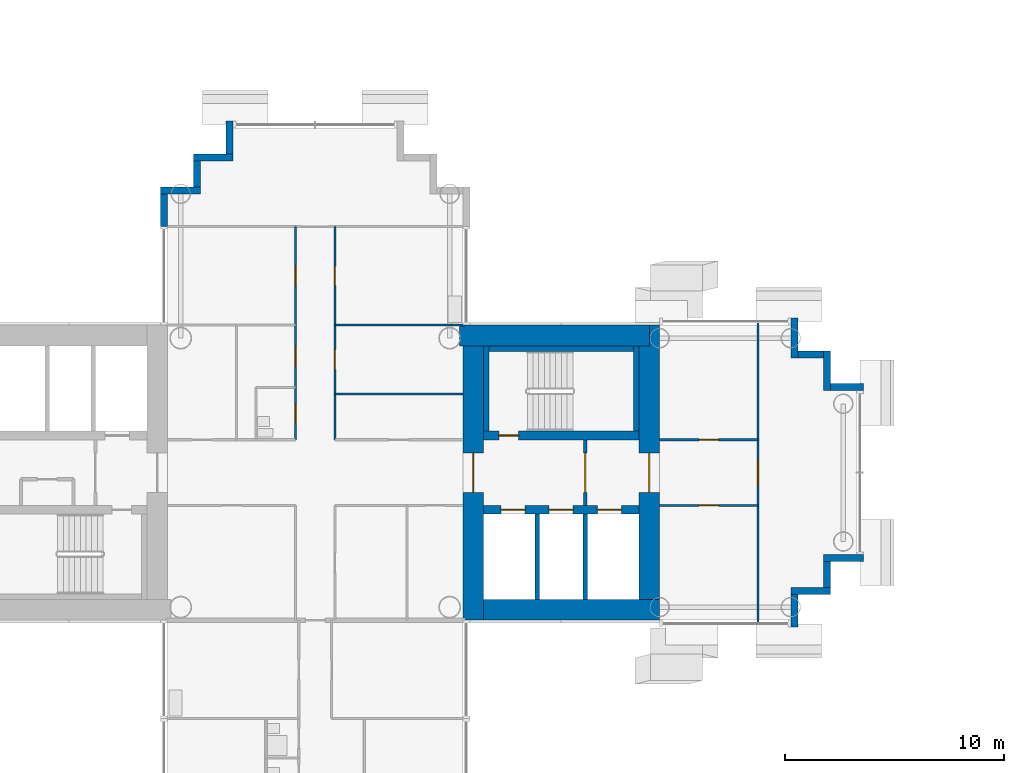
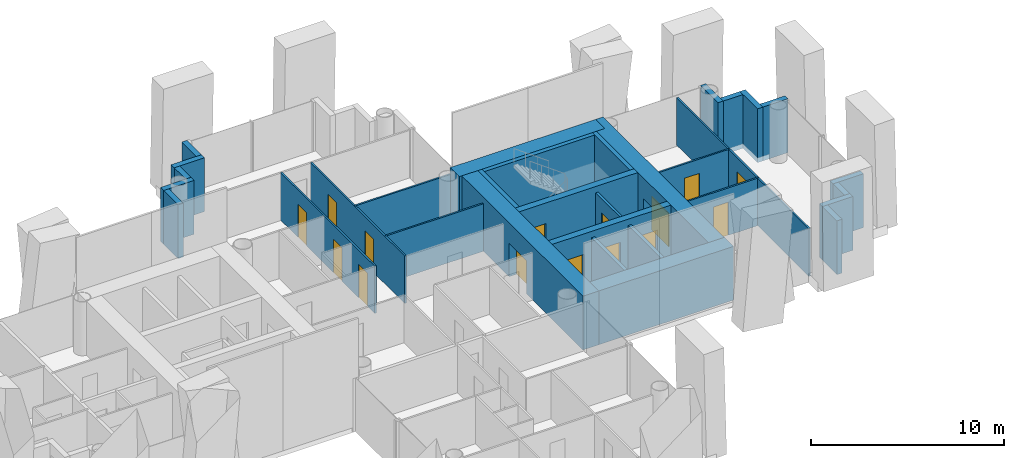
# One storey, part 10 of 21: 32 walls, 15 doors, 15 openings.
"""IFC4 building model written with IfcOpenShell, lengths in metres."""

from ifc_helpers import new_model, si_unit, direction, frame, frame_2d, origin, place, context, subcontext, project, spatial, rectangle, extrude, material, layer, layer_set, type_object, element, fill, save


model = new_model("IFC4")

# Units and contexts
model_context = context("Model", 3, precision=1e-05, world=origin(), true_north=direction((0.0, 1.0)))
body_context = subcontext(model_context, "Body", "Model", "MODEL_VIEW")
ifc_project = project(units=[si_unit("LENGTHUNIT", "METRE"), si_unit("AREAUNIT", "SQUARE_METRE"), si_unit("VOLUMEUNIT", "CUBIC_METRE"), si_unit("PLANEANGLEUNIT", "RADIAN"), si_unit("MASSUNIT", "GRAM", prefix="KILO")], contexts=[model_context])

# Site, building, storey
site_placement = place(None, origin())
site = spatial("IfcSite", under=ifc_project, at=site_placement, CompositionType="ELEMENT")
building_placement = place(site_placement, origin())
building = spatial("IfcBuilding", under=site, at=building_placement, Name="Ipe Terrace Towers", CompositionType="ELEMENT")
storey_placement = place(building_placement, frame((0.0, 0.0, 93.60009765625)))
storey = spatial("IfcBuildingStorey", under=building, at=storey_placement, Name="L25", CompositionType="ELEMENT", Elevation=93.60009765625)

# Walls
ifc_material_1 = material(Name="Concrete C40/50 with buff precast cladding", Category="concrete")
ifc_layer_1 = layer(ifc_material_1, 0.320068359375)
ifc_layer_set_1 = layer_set([ifc_layer_1], Name="BUFF CLADDING WALL 320")
wall_type_1 = type_object("IfcWallType", Name="BUFF CLADDING WALL 320", PredefinedType="STANDARD", material=ifc_layer_set_1)
wall_1_placement = place(storey_placement, frame((-14.090087890625, -7.070068359375, -0.300048828125), z_axis=(0.0, 0.0, 1.0), x_axis=(0.0, 1.0, 0.0)))
element("IfcWall", 1, at=wall_1_placement, inside=storey, type_object=wall_type_1, Name="T1-W-L25-21a wall", PredefinedType="STANDARD", context=body_context, shape_type="SweptSolid", body=[
    extrude(rectangle(XDim=1.5, YDim=0.320068359375, at=frame_2d((0.75, 0.0))), origin(), (0.0, 0.0, 1.0), 3.39990234375),
])
wall_2_placement = place(storey_placement, frame((-14.25, -5.409912109375, -0.300048828125), z_axis=(0.0, 0.0, 1.0), x_axis=(1.0, 0.0, 0.0)))
element("IfcWall", 2, at=wall_2_placement, inside=storey, type_object=wall_type_1, Name="T1-W-L25-22a wall", PredefinedType="STANDARD", context=body_context, shape_type="SweptSolid", body=[
    extrude(rectangle(XDim=1.820068359375, YDim=0.320068359375, at=frame_2d((0.91015625, 0.0))), origin(), (0.0, 0.0, 1.0), 3.39990234375),
])
wall_3_placement = place(storey_placement, frame((-12.590087890625, -5.25, -0.300048828125), z_axis=(0.0, 0.0, 1.0), x_axis=(0.0, 1.0, 0.0)))
element("IfcWall", 3, at=wall_3_placement, inside=storey, type_object=wall_type_1, Name="T1-W-L25-23a wall", PredefinedType="STANDARD", context=body_context, shape_type="SweptSolid", body=[
    extrude(rectangle(XDim=1.179931640625, YDim=0.320068359375, at=frame_2d((0.58984375, 0.0))), origin(), (0.0, 0.0, 1.0), 3.39990234375),
])
wall_4_placement = place(storey_placement, frame((-12.75, -3.909912109375, -0.300048828125), z_axis=(0.0, 0.0, 1.0), x_axis=(1.0, 0.0, 0.0)))
element("IfcWall", 4, at=wall_4_placement, inside=storey, type_object=wall_type_1, Name="T1-W-L25-24a wall", PredefinedType="STANDARD", context=body_context, shape_type="SweptSolid", body=[
    extrude(rectangle(XDim=1.820068359375, YDim=0.320068359375, at=frame_2d((0.91015625, 0.0))), origin(), (0.0, 0.0, 1.0), 3.39990234375),
])
wall_5_placement = place(storey_placement, frame((-10.929931640625, 3.909912109375, -0.300048828125), z_axis=(0.0, 0.0, 1.0), x_axis=(-1.0, 0.0, 0.0)))
element("IfcWall", 5, at=wall_5_placement, inside=storey, type_object=wall_type_1, Name="T1-W-L25-26a wall", PredefinedType="STANDARD", context=body_context, shape_type="SweptSolid", body=[
    extrude(rectangle(XDim=1.5, YDim=0.320068359375, at=frame_2d((0.75, 0.0))), origin(), (0.0, 0.0, 1.0), 3.39990234375),
])
wall_6_placement = place(storey_placement, frame((-12.590087890625, 3.75, -0.300048828125), z_axis=(0.0, 0.0, 1.0), x_axis=(0.0, 1.0, 0.0)))
element("IfcWall", 6, at=wall_6_placement, inside=storey, type_object=wall_type_1, Name="T1-W-L25-27a wall", PredefinedType="STANDARD", context=body_context, shape_type="SweptSolid", body=[
    extrude(rectangle(XDim=1.820068359375, YDim=0.320068359375, at=frame_2d((0.91015625, 0.0))), origin(), (0.0, 0.0, 1.0), 3.39990234375),
])
wall_7_placement = place(storey_placement, frame((-12.75, 5.409912109375, -0.300048828125), z_axis=(0.0, 0.0, 1.0), x_axis=(-1.0, 0.0, 0.0)))
element("IfcWall", 7, at=wall_7_placement, inside=storey, type_object=wall_type_1, Name="T1-W-L25-28a wall", PredefinedType="STANDARD", context=body_context, shape_type="SweptSolid", body=[
    extrude(rectangle(XDim=1.179931640625, YDim=0.320068359375, at=frame_2d((0.58984375, 0.0))), origin(), (0.0, 0.0, 1.0), 3.39990234375),
])
wall_8_placement = place(storey_placement, frame((-14.090087890625, 5.25, -0.300048828125), z_axis=(0.0, 0.0, 1.0), x_axis=(0.0, 1.0, 0.0)))
element("IfcWall", 8, at=wall_8_placement, inside=storey, type_object=wall_type_1, Name="T1-W-L25-29a wall", PredefinedType="STANDARD", context=body_context, shape_type="SweptSolid", body=[
    extrude(rectangle(XDim=1.820068359375, YDim=0.320068359375, at=frame_2d((0.91015625, 0.0))), origin(), (0.0, 0.0, 1.0), 3.39990234375),
])
wall_9_placement = place(storey_placement, frame((-39.909912109375, 16.070068359375, -0.300048828125), z_axis=(0.0, 0.0, 1.0), x_axis=(0.0, -1.0, 0.0)))
element("IfcWall", 9, at=wall_9_placement, inside=storey, type_object=wall_type_1, Name="T1-W-L25-39a wall", PredefinedType="STANDARD", context=body_context, shape_type="SweptSolid", body=[
    extrude(rectangle(XDim=1.5, YDim=0.320068359375, at=frame_2d((0.75, 0.0))), origin(), (0.0, 0.0, 1.0), 3.39990234375),
])
wall_10_placement = place(storey_placement, frame((-39.75, 14.409912109375, -0.300048828125), z_axis=(0.0, 0.0, 1.0), x_axis=(-1.0, 0.0, 0.0)))
element("IfcWall", 10, at=wall_10_placement, inside=storey, type_object=wall_type_1, Name="T1-W-L25-40a wall", PredefinedType="STANDARD", context=body_context, shape_type="SweptSolid", body=[
    extrude(rectangle(XDim=1.820068359375, YDim=0.320068359375, at=frame_2d((0.91015625, 0.0))), origin(), (0.0, 0.0, 1.0), 3.39990234375),
])
wall_11_placement = place(storey_placement, frame((-41.409912109375, 14.25, -0.300048828125), z_axis=(0.0, 0.0, 1.0), x_axis=(0.0, -1.0, 0.0)))
element("IfcWall", 11, at=wall_11_placement, inside=storey, type_object=wall_type_1, Name="T1-W-L25-41a wall", PredefinedType="STANDARD", context=body_context, shape_type="SweptSolid", body=[
    extrude(rectangle(XDim=1.179931640625, YDim=0.320068359375, at=frame_2d((0.58984375, 0.0))), origin(), (0.0, 0.0, 1.0), 3.39990234375),
])
wall_12_placement = place(storey_placement, frame((-41.25, 12.909912109375, -0.300048828125), z_axis=(0.0, 0.0, 1.0), x_axis=(-1.0, 0.0, 0.0)))
element("IfcWall", 12, at=wall_12_placement, inside=storey, type_object=wall_type_1, Name="T1-W-L25-42a wall", PredefinedType="STANDARD", context=body_context, shape_type="SweptSolid", body=[
    extrude(rectangle(XDim=1.820068359375, YDim=0.320068359375, at=frame_2d((0.91015625, 0.0))), origin(), (0.0, 0.0, 1.0), 3.39990234375),
])
wall_13_placement = place(storey_placement, frame((-42.909912109375, 12.75, -0.300048828125), z_axis=(0.0, 0.0, 1.0), x_axis=(0.0, -1.0, 0.0)))
element("IfcWall", 13, at=wall_13_placement, inside=storey, type_object=wall_type_1, Name="T1-W-L25-43a wall", PredefinedType="STANDARD", context=body_context, shape_type="SweptSolid", body=[
    extrude(rectangle(XDim=1.5, YDim=0.320068359375, at=frame_2d((0.75, 0.0))), origin(), (0.0, 0.0, 1.0), 3.39990234375),
])

# Wall, openings, doors
ifc_material_2 = material(Name="Gypsum board partition", Category="plasterboard")
ifc_layer_2 = layer(ifc_material_2, 0.10009765625)
ifc_layer_set_2 = layer_set([ifc_layer_2], Name="Gypsum board partition 100 mm")
wall_type_2 = type_object("IfcWallType", Name="Gypsum board partition 100 mm", PredefinedType="PARTITIONING", material=ifc_layer_set_2)
wall_14_placement = place(storey_placement, frame((-36.89990234375, 1.5, 0.0), z_axis=(0.0, 0.0, 1.0), x_axis=(0.0, 1.0, 0.0)))
wall_14 = element("IfcWall", 14, at=wall_14_placement, inside=storey, type_object=wall_type_2, Name="Gypsum board partition T1 L25 W08", PredefinedType="PARTITIONING", context=body_context, shape_type="SweptSolid", body=[
    extrude(rectangle(XDim=9.75, YDim=0.10009765625, at=frame_2d((4.875, 0.0))), origin(), (0.0, 0.0, 1.0), 3.0),
])
opening_1_placement = place(wall_14_placement, frame((0.75, 0.0, 0.0)))
opening_1 = element("IfcOpeningElement", 15, at=opening_1_placement, cuts=wall_14, Name="Opening T1-Z2C-01", PredefinedType="OPENING", context=body_context, shape_type="SweptSolid", body=[
    extrude(rectangle(XDim=0.89990234375, YDim=2.10009765625, at=frame_2d((0.449951171875, 1.050048828125))), frame((0.0, 0.06005859375, 0.0), z_axis=(0.0, -1.0, 0.0), x_axis=(1.0, 0.0, 0.0)), (0.0, 0.0, 1.0), 0.1201171875),
])
opening_2_placement = place(wall_14_placement, frame((3.375, 0.0, 0.0)))
opening_2 = element("IfcOpeningElement", 16, at=opening_2_placement, cuts=wall_14, Name="Opening T1-Z2C-04", PredefinedType="OPENING", context=body_context, shape_type="SweptSolid", body=[
    extrude(rectangle(XDim=0.89990234375, YDim=2.10009765625, at=frame_2d((0.449951171875, 1.050048828125))), frame((0.0, 0.06005859375, 0.0), z_axis=(0.0, -1.0, 0.0), x_axis=(1.0, 0.0, 0.0)), (0.0, 0.0, 1.0), 0.1201171875),
])
opening_3_placement = place(wall_14_placement, frame((7.050048828125, 0.0, 0.0)))
opening_3 = element("IfcOpeningElement", 17, at=opening_3_placement, cuts=wall_14, Name="Opening T1-Z2C-09", PredefinedType="OPENING", context=body_context, shape_type="SweptSolid", body=[
    extrude(rectangle(XDim=0.89990234375, YDim=2.10009765625, at=frame_2d((0.449951171875, 1.050048828125))), frame((0.0, 0.06005859375, 0.0), z_axis=(0.0, -1.0, 0.0), x_axis=(1.0, 0.0, 0.0)), (0.0, 0.0, 1.0), 0.1201171875),
])
ifc_material_3 = material(Name="Timber door leaf", Category="wood")
door_type_1 = type_object("IfcDoorType", Name="Bathroom door 900 x 2100", OperationType="NOTDEFINED", PredefinedType="DOOR", material=ifc_material_3)
door_1_placement = place(opening_1_placement, origin())
door_1 = element("IfcDoor", 18, at=door_1_placement, inside=storey, type_object=door_type_1, Name="Bathroom door T1-Z2C-01", OperationType="SINGLE_SWING_RIGHT", OverallHeight=2.10009765625, OverallWidth=0.89990234375, PredefinedType="DOOR", context=body_context, shape_type="SweptSolid", body=[
    extrude(rectangle(XDim=0.89990234375, YDim=2.10009765625, at=frame_2d((0.449951171875, 1.050048828125))), frame((0.0, 0.02490234375, 0.0), z_axis=(0.0, -1.0, 0.0), x_axis=(1.0, 0.0, 0.0)), (0.0, 0.0, 1.0), 0.050048828125),
])
fill(opening_1, door_1)
ifc_material_4 = material(Name="Timber door leaf", Category="wood")
door_type_2 = type_object("IfcDoorType", Name="Lounge door 900 x 2100", OperationType="NOTDEFINED", PredefinedType="DOOR", material=ifc_material_4)
door_2_placement = place(opening_2_placement, origin())
door_2 = element("IfcDoor", 19, at=door_2_placement, inside=storey, type_object=door_type_2, Name="Lounge door T1-Z2C-04", OperationType="SINGLE_SWING_RIGHT", OverallHeight=2.10009765625, OverallWidth=0.89990234375, PredefinedType="DOOR", context=body_context, shape_type="SweptSolid", body=[
    extrude(rectangle(XDim=0.89990234375, YDim=2.10009765625, at=frame_2d((0.449951171875, 1.050048828125))), frame((0.0, 0.02490234375, 0.0), z_axis=(0.0, -1.0, 0.0), x_axis=(1.0, 0.0, 0.0)), (0.0, 0.0, 1.0), 0.050048828125),
])
fill(opening_2, door_2)
door_3_placement = place(opening_3_placement, origin())
door_3 = element("IfcDoor", 20, at=door_3_placement, inside=storey, type_object=door_type_2, Name="Lounge door T1-Z2C-09", OperationType="SINGLE_SWING_LEFT", OverallHeight=2.10009765625, OverallWidth=0.89990234375, PredefinedType="DOOR", context=body_context, shape_type="SweptSolid", body=[
    extrude(rectangle(XDim=0.89990234375, YDim=2.10009765625, at=frame_2d((0.449951171875, 1.050048828125))), frame((0.0, 0.02490234375, 0.0), z_axis=(0.0, -1.0, 0.0), x_axis=(1.0, 0.0, 0.0)), (0.0, 0.0, 1.0), 0.050048828125),
])
fill(opening_3, door_3)

wall_15_placement = place(storey_placement, frame((-35.10009765625, 1.5, 0.0), z_axis=(0.0, 0.0, 1.0), x_axis=(0.0, 1.0, 0.0)))
wall_15 = element("IfcWall", 21, at=wall_15_placement, inside=storey, type_object=wall_type_2, Name="Gypsum board partition T1 L25 W12", PredefinedType="PARTITIONING", context=body_context, shape_type="SweptSolid", body=[
    extrude(rectangle(XDim=9.75, YDim=0.10009765625, at=frame_2d((4.875, 0.0))), origin(), (0.0, 0.0, 1.0), 3.0),
])
opening_4_placement = place(wall_15_placement, frame((3.22509765625, 0.0, 0.0)))
opening_4 = element("IfcOpeningElement", 22, at=opening_4_placement, cuts=wall_15, Name="Opening T1-Z2C-03", PredefinedType="OPENING", context=body_context, shape_type="SweptSolid", body=[
    extrude(rectangle(XDim=0.89990234375, YDim=2.10009765625, at=frame_2d((0.449951171875, 1.050048828125))), frame((0.0, 0.06005859375, 0.0), z_axis=(0.0, -1.0, 0.0), x_axis=(1.0, 0.0, 0.0)), (0.0, 0.0, 1.0), 0.1201171875),
])
opening_5_placement = place(wall_15_placement, frame((7.050048828125, 0.0, 0.0)))
opening_5 = element("IfcOpeningElement", 23, at=opening_5_placement, cuts=wall_15, Name="Opening T1-Z2C-10", PredefinedType="OPENING", context=body_context, shape_type="SweptSolid", body=[
    extrude(rectangle(XDim=0.89990234375, YDim=2.10009765625, at=frame_2d((0.449951171875, 1.050048828125))), frame((0.0, 0.06005859375, 0.0), z_axis=(0.0, -1.0, 0.0), x_axis=(1.0, 0.0, 0.0)), (0.0, 0.0, 1.0), 0.1201171875),
])
door_4_placement = place(opening_4_placement, origin())
door_4 = element("IfcDoor", 24, at=door_4_placement, inside=storey, type_object=door_type_2, Name="Lounge door T1-Z2C-03", OperationType="SINGLE_SWING_LEFT", OverallHeight=2.10009765625, OverallWidth=0.89990234375, PredefinedType="DOOR", context=body_context, shape_type="SweptSolid", body=[
    extrude(rectangle(XDim=0.89990234375, YDim=2.10009765625, at=frame_2d((0.449951171875, 1.050048828125))), frame((0.0, 0.02490234375, 0.0), z_axis=(0.0, -1.0, 0.0), x_axis=(1.0, 0.0, 0.0)), (0.0, 0.0, 1.0), 0.050048828125),
])
fill(opening_4, door_4)
door_5_placement = place(opening_5_placement, origin())
door_5 = element("IfcDoor", 25, at=door_5_placement, inside=storey, type_object=door_type_2, Name="Lounge door T1-Z2C-10", OperationType="SINGLE_SWING_RIGHT", OverallHeight=2.10009765625, OverallWidth=0.89990234375, PredefinedType="DOOR", context=body_context, shape_type="SweptSolid", body=[
    extrude(rectangle(XDim=0.89990234375, YDim=2.10009765625, at=frame_2d((0.449951171875, 1.050048828125))), frame((0.0, 0.02490234375, 0.0), z_axis=(0.0, -1.0, 0.0), x_axis=(1.0, 0.0, 0.0)), (0.0, 0.0, 1.0), 0.050048828125),
])
fill(opening_5, door_5)

# Wall, opening, door
wall_16_placement = place(storey_placement, frame((-15.75, -6.85009765625, 0.0), z_axis=(0.0, 0.0, 1.0), x_axis=(0.0, 1.0, 0.0)))
wall_16 = element("IfcWall", 26, at=wall_16_placement, inside=storey, type_object=wall_type_2, Name="Gypsum board partition T1 L25 W15", PredefinedType="PARTITIONING", context=body_context, shape_type="SweptSolid", body=[
    extrude(rectangle(XDim=13.7001953125, YDim=0.10009765625, at=frame_2d((6.85009765625, 0.0))), origin(), (0.0, 0.0, 1.0), 3.0),
])
opening_6_placement = place(wall_16_placement, frame((6.25, 0.0, 0.0)))
opening_6 = element("IfcOpeningElement", 27, at=opening_6_placement, cuts=wall_16, Name="Opening T1-Z2C-24", PredefinedType="OPENING", context=body_context, shape_type="SweptSolid", body=[
    extrude(rectangle(XDim=1.199951171875, YDim=2.10009765625, at=frame_2d((0.60009765625, 1.050048828125))), frame((0.0, 0.06005859375, 0.0), z_axis=(0.0, -1.0, 0.0), x_axis=(1.0, 0.0, 0.0)), (0.0, 0.0, 1.0), 0.1201171875),
])
ifc_material_5 = material(Name="Timber door leaf", Category="wood")
door_type_3 = type_object("IfcDoorType", Name="Lounge door 1200 x 2100", OperationType="NOTDEFINED", PredefinedType="DOOR", material=ifc_material_5)
door_6_placement = place(opening_6_placement, origin())
door_6 = element("IfcDoor", 28, at=door_6_placement, inside=storey, type_object=door_type_3, Name="Lounge door T1-Z2C-24", OperationType="SINGLE_SWING_RIGHT", OverallHeight=2.10009765625, OverallWidth=1.199951171875, PredefinedType="DOOR", context=body_context, shape_type="SweptSolid", body=[
    extrude(rectangle(XDim=1.199951171875, YDim=2.10009765625, at=frame_2d((0.60009765625, 1.050048828125))), frame((0.0, 0.02490234375, 0.0), z_axis=(0.0, -1.0, 0.0), x_axis=(1.0, 0.0, 0.0)), (0.0, 0.0, 1.0), 0.050048828125),
])
fill(opening_6, door_6)

wall_17_placement = place(storey_placement, frame((-20.25, -1.5, 0.0), z_axis=(0.0, 0.0, 1.0), x_axis=(1.0, 0.0, 0.0)))
wall_17 = element("IfcWall", 29, at=wall_17_placement, inside=storey, type_object=wall_type_2, Name="Gypsum board partition T1 L25 W26", PredefinedType="PARTITIONING", context=body_context, shape_type="SweptSolid", body=[
    extrude(rectangle(XDim=4.5, YDim=0.10009765625, at=frame_2d((2.25, 0.0))), origin(), (0.0, 0.0, 1.0), 3.0),
])
opening_7_placement = place(wall_17_placement, frame((1.800048828125, 0.0, 0.0)))
opening_7 = element("IfcOpeningElement", 30, at=opening_7_placement, cuts=wall_17, Name="Opening T1-Z2C-23", PredefinedType="OPENING", context=body_context, shape_type="SweptSolid", body=[
    extrude(rectangle(XDim=0.89990234375, YDim=2.10009765625, at=frame_2d((0.449951171875, 1.050048828125))), frame((0.0, 0.06005859375, 0.0), z_axis=(0.0, -1.0, 0.0), x_axis=(1.0, 0.0, 0.0)), (0.0, 0.0, 1.0), 0.1201171875),
])
door_7_placement = place(opening_7_placement, origin())
door_7 = element("IfcDoor", 31, at=door_7_placement, inside=storey, type_object=door_type_2, Name="Lounge door T1-Z2C-23", OperationType="SINGLE_SWING_RIGHT", OverallHeight=2.10009765625, OverallWidth=0.89990234375, PredefinedType="DOOR", context=body_context, shape_type="SweptSolid", body=[
    extrude(rectangle(XDim=0.89990234375, YDim=2.10009765625, at=frame_2d((0.449951171875, 1.050048828125))), frame((0.0, 0.02490234375, 0.0), z_axis=(0.0, -1.0, 0.0), x_axis=(1.0, 0.0, 0.0)), (0.0, 0.0, 1.0), 0.050048828125),
])
fill(opening_7, door_7)

wall_18_placement = place(storey_placement, frame((-20.25, 1.5, 0.0), z_axis=(0.0, 0.0, 1.0), x_axis=(1.0, 0.0, 0.0)))
wall_18 = element("IfcWall", 32, at=wall_18_placement, inside=storey, type_object=wall_type_2, Name="Gypsum board partition T1 L25 W32", PredefinedType="PARTITIONING", context=body_context, shape_type="SweptSolid", body=[
    extrude(rectangle(XDim=4.5, YDim=0.10009765625, at=frame_2d((2.25, 0.0))), origin(), (0.0, 0.0, 1.0), 3.0),
])
opening_8_placement = place(wall_18_placement, frame((1.800048828125, 0.0, 0.0)))
opening_8 = element("IfcOpeningElement", 33, at=opening_8_placement, cuts=wall_18, Name="Opening T1-Z2C-22", PredefinedType="OPENING", context=body_context, shape_type="SweptSolid", body=[
    extrude(rectangle(XDim=0.89990234375, YDim=2.10009765625, at=frame_2d((0.449951171875, 1.050048828125))), frame((0.0, 0.06005859375, 0.0), z_axis=(0.0, -1.0, 0.0), x_axis=(1.0, 0.0, 0.0)), (0.0, 0.0, 1.0), 0.1201171875),
])
door_8_placement = place(opening_8_placement, origin())
door_8 = element("IfcDoor", 34, at=door_8_placement, inside=storey, type_object=door_type_2, Name="Lounge door T1-Z2C-22", OperationType="SINGLE_SWING_LEFT", OverallHeight=2.10009765625, OverallWidth=0.89990234375, PredefinedType="DOOR", context=body_context, shape_type="SweptSolid", body=[
    extrude(rectangle(XDim=0.89990234375, YDim=2.10009765625, at=frame_2d((0.449951171875, 1.050048828125))), frame((0.0, 0.02490234375, 0.0), z_axis=(0.0, -1.0, 0.0), x_axis=(1.0, 0.0, 0.0)), (0.0, 0.0, 1.0), 0.050048828125),
])
fill(opening_8, door_8)

# Walls
wall_19_placement = place(storey_placement, frame((-35.10009765625, 3.60009765625, 0.0), z_axis=(0.0, 0.0, 1.0), x_axis=(1.0, 0.0, 0.0)))
element("IfcWall", 35, at=wall_19_placement, inside=storey, type_object=wall_type_2, Name="Gypsum board partition T1 L25 W34", PredefinedType="PARTITIONING", context=body_context, shape_type="SweptSolid", body=[
    extrude(rectangle(XDim=5.85009765625, YDim=0.10009765625, at=frame_2d((2.925048828125, 0.0))), origin(), (0.0, 0.0, 1.0), 3.0),
])
wall_20_placement = place(storey_placement, frame((-35.10009765625, 6.75, 0.0), z_axis=(0.0, 0.0, 1.0), x_axis=(1.0, 0.0, 0.0)))
element("IfcWall", 36, at=wall_20_placement, inside=storey, type_object=wall_type_2, Name="Gypsum board partition T1 L25 W37", PredefinedType="PARTITIONING", context=body_context, shape_type="SweptSolid", body=[
    extrude(rectangle(XDim=5.9501953125, YDim=0.10009765625, at=frame_2d((2.97509765625, 0.0))), origin(), (0.0, 0.0, 1.0), 3.0),
])

# Wall, opening, door
ifc_material_6 = material(Name="Gypsum board partition", Category="plasterboard")
ifc_layer_3 = layer(ifc_material_6, 0.14990234375)
ifc_layer_set_3 = layer_set([ifc_layer_3], Name="Gypsum board partition 150 mm")
wall_type_3 = type_object("IfcWallType", Name="Gypsum board partition 150 mm", PredefinedType="PARTITIONING", material=ifc_layer_set_3)
wall_21_placement = place(storey_placement, frame((-23.64990234375, -1.5, 0.0), z_axis=(0.0, 0.0, 1.0), x_axis=(0.0, 1.0, 0.0)))
wall_21 = element("IfcWall", 37, at=wall_21_placement, inside=storey, type_object=wall_type_3, Name="Gypsum board partition T1 L25 t1c1-lobby-wall", PredefinedType="PARTITIONING", context=body_context, shape_type="SweptSolid", body=[
    extrude(rectangle(XDim=3.0, YDim=0.14990234375, at=frame_2d((1.5, 0.0))), origin(), (0.0, 0.0, 1.0), 3.0),
])
opening_9_placement = place(wall_21_placement, frame((0.60009765625, 0.0, 0.0)))
opening_9 = element("IfcOpeningElement", 38, at=opening_9_placement, cuts=wall_21, Name="Opening T1C1-VD", PredefinedType="OPENING", context=body_context, shape_type="SweptSolid", body=[
    extrude(rectangle(XDim=1.800048828125, YDim=2.10009765625, at=frame_2d((0.89990234375, 1.050048828125))), frame((0.0, 0.0849609375, 0.0), z_axis=(0.0, -1.0, 0.0), x_axis=(1.0, 0.0, 0.0)), (0.0, 0.0, 1.0), 0.169921875),
])
ifc_material_7 = material(Name="Fire-rated timber door leaf", Category="wood")
door_type_4 = type_object("IfcDoorType", Name="Lobby door 1800 x 2100 FD60", OperationType="NOTDEFINED", PredefinedType="DOOR", material=ifc_material_7)
door_9_placement = place(opening_9_placement, origin())
door_9 = element("IfcDoor", 39, at=door_9_placement, inside=storey, type_object=door_type_4, Name="Lobby door T1C1-VD", OperationType="SINGLE_SWING_LEFT", OverallHeight=2.10009765625, OverallWidth=1.800048828125, PredefinedType="DOOR", context=body_context, shape_type="SweptSolid", body=[
    extrude(rectangle(XDim=1.800048828125, YDim=2.10009765625, at=frame_2d((0.89990234375, 1.050048828125))), frame((0.0, 0.02490234375, 0.0), z_axis=(0.0, -1.0, 0.0), x_axis=(1.0, 0.0, 0.0)), (0.0, 0.0, 1.0), 0.050048828125),
])
fill(opening_9, door_9)

# Walls
ifc_material_8 = material(Name="Gypsum board party wall", Category="plasterboard")
ifc_layer_4 = layer(ifc_material_8, 0.199951171875)
ifc_layer_set_4 = layer_set([ifc_layer_4], Name="Gypsum board party wall 200 mm")
wall_type_4 = type_object("IfcWallType", Name="Gypsum board party wall 200 mm", PredefinedType="SOLIDWALL", material=ifc_layer_set_4)
for number, where, z_axis, x_axis, name in (
    (40, (-25.85009765625, -5.800048828125, 0.0), (0.0, 0.0, 1.0), (0.0, 1.0, 0.0), "Gypsum board party wall T1 L25 t1c1-shaft-div1"),
    (41, (-23.64990234375, -5.800048828125, 0.0), (0.0, 0.0, 1.0), (0.0, 1.0, 0.0), "Gypsum board party wall T1 L25 t1c1-shaft-div2"),
):
    element("IfcWall", number, at=place(storey_placement, frame(where, z_axis=z_axis, x_axis=x_axis)), inside=storey, type_object=wall_type_4, Name=name, PredefinedType="SOLIDWALL", context=body_context, shape_type="SweptSolid", body=[
        extrude(rectangle(XDim=3.900146484375, YDim=0.199951171875, at=frame_2d((1.9501953125, 0.0))), origin(), (0.0, 0.0, 1.0), 3.0),
    ])
ifc_material_9 = material(Name="Concrete C50/60", Category="concrete")
ifc_layer_5 = layer(ifc_material_9, 0.25)
ifc_layer_set_5 = layer_set([ifc_layer_5], Name="RW250 CORE INFILL WALL 250 C50-60")
wall_type_5 = type_object("IfcWallType", Name="RW250 CORE INFILL WALL 250 C50-60", PredefinedType="SHEAR", material=ifc_layer_set_5)
wall_22_placement = place(storey_placement, frame((-21.324951171875, 1.89990234375, 0.0), z_axis=(0.0, 0.0, 1.0), x_axis=(0.0, 1.0, 0.0)))
element("IfcWall", 42, at=wall_22_placement, inside=storey, type_object=wall_type_5, Name="Core infill wall T1-C1-far", PredefinedType="SHEAR", context=body_context, shape_type="SweptSolid", body=[
    extrude(rectangle(XDim=3.900146484375, YDim=0.25, at=frame_2d((1.9501953125, 0.0))), origin(), (0.0, 0.0, 1.0), 3.39990234375),
])
wall_23_placement = place(storey_placement, frame((-28.050048828125, 5.675048828125, 0.0), z_axis=(0.0, 0.0, 1.0), x_axis=(1.0, 0.0, 0.0)))
element("IfcWall", 43, at=wall_23_placement, inside=storey, type_object=wall_type_5, Name="Core infill wall T1-C1-back", PredefinedType="SHEAR", context=body_context, shape_type="SweptSolid", body=[
    extrude(rectangle(XDim=6.60009765625, YDim=0.25, at=frame_2d((3.300048828125, 0.0))), origin(), (0.0, 0.0, 1.0), 3.39990234375),
])
wall_24_placement = place(storey_placement, frame((-28.175048828125, 1.89990234375, 0.0), z_axis=(0.0, 0.0, 1.0), x_axis=(0.0, 1.0, 0.0)))
element("IfcWall", 44, at=wall_24_placement, inside=storey, type_object=wall_type_5, Name="Core infill wall T1-C1-near", PredefinedType="SHEAR", context=body_context, shape_type="SweptSolid", body=[
    extrude(rectangle(XDim=3.900146484375, YDim=0.25, at=frame_2d((1.9501953125, 0.0))), origin(), (0.0, 0.0, 1.0), 3.39990234375),
])

# Wall, openings, doors
ifc_material_10 = material(Name="Concrete C50/60", Category="concrete")
ifc_layer_6 = layer(ifc_material_10, 0.39990234375)
ifc_layer_set_6 = layer_set([ifc_layer_6], Name="RW400 CORE SPINE WALL 400 C50-60")
wall_type_6 = type_object("IfcWallType", Name="RW400 CORE SPINE WALL 400 C50-60", PredefinedType="SHEAR", material=ifc_layer_set_6)
wall_25_placement = place(storey_placement, frame((-28.300048828125, -1.699951171875, 0.0), z_axis=(0.0, 0.0, 1.0), x_axis=(1.0, 0.0, 0.0)))
wall_25 = element("IfcWall", 45, at=wall_25_placement, inside=storey, type_object=wall_type_6, Name="Core spine wall T1-C1-Z2-SW1", PredefinedType="SHEAR", context=body_context, shape_type="SweptSolid", body=[
    extrude(rectangle(XDim=7.10009765625, YDim=0.39990234375, at=frame_2d((3.550048828125, 0.0))), origin(), (0.0, 0.0, 1.0), 3.39990234375),
])
opening_10_placement = place(wall_25_placement, frame((0.800048828125, 0.0, 0.0)))
opening_10 = element("IfcOpeningElement", 46, at=opening_10_placement, cuts=wall_25, Name="Opening T1C1-LD1", PredefinedType="OPENING", context=body_context, shape_type="SweptSolid", body=[
    extrude(rectangle(XDim=1.10009765625, YDim=2.10009765625, at=frame_2d((0.550048828125, 1.050048828125))), frame((0.0, 0.2099609375, 0.0), z_axis=(0.0, -1.0, 0.0), x_axis=(1.0, 0.0, 0.0)), (0.0, 0.0, 1.0), 0.419921875),
])
opening_11_placement = place(wall_25_placement, frame((3.0, 0.0, 0.0)))
opening_11 = element("IfcOpeningElement", 47, at=opening_11_placement, cuts=wall_25, Name="Opening T1C1-LD2", PredefinedType="OPENING", context=body_context, shape_type="SweptSolid", body=[
    extrude(rectangle(XDim=1.10009765625, YDim=2.10009765625, at=frame_2d((0.550048828125, 1.050048828125))), frame((0.0, 0.2099609375, 0.0), z_axis=(0.0, -1.0, 0.0), x_axis=(1.0, 0.0, 0.0)), (0.0, 0.0, 1.0), 0.419921875),
])
opening_12_placement = place(wall_25_placement, frame((5.199951171875, 0.0, 0.0)))
opening_12 = element("IfcOpeningElement", 48, at=opening_12_placement, cuts=wall_25, Name="Opening T1C1-LD3", PredefinedType="OPENING", context=body_context, shape_type="SweptSolid", body=[
    extrude(rectangle(XDim=1.10009765625, YDim=2.10009765625, at=frame_2d((0.550048828125, 1.050048828125))), frame((0.0, 0.2099609375, 0.0), z_axis=(0.0, -1.0, 0.0), x_axis=(1.0, 0.0, 0.0)), (0.0, 0.0, 1.0), 0.419921875),
])
ifc_material_11 = material(Name="Fire-rated timber door leaf", Category="wood")
door_type_5 = type_object("IfcDoorType", Name="Sliding door 1100 x 2100 FD60", OperationType="SLIDING_TO_LEFT", PredefinedType="DOOR", material=ifc_material_11)
door_10_placement = place(opening_10_placement, origin())
door_10 = element("IfcDoor", 49, at=door_10_placement, inside=storey, type_object=door_type_5, Name="Sliding door T1C1-LD1", OperationType="SLIDING_TO_LEFT", OverallHeight=2.10009765625, OverallWidth=1.10009765625, PredefinedType="DOOR", context=body_context, shape_type="SweptSolid", body=[
    extrude(rectangle(XDim=1.10009765625, YDim=2.10009765625, at=frame_2d((0.550048828125, 1.050048828125))), frame((0.0, 0.02490234375, 0.0), z_axis=(0.0, -1.0, 0.0), x_axis=(1.0, 0.0, 0.0)), (0.0, 0.0, 1.0), 0.050048828125),
])
fill(opening_10, door_10)
door_11_placement = place(opening_11_placement, origin())
door_11 = element("IfcDoor", 50, at=door_11_placement, inside=storey, type_object=door_type_5, Name="Sliding door T1C1-LD2", OperationType="SLIDING_TO_LEFT", OverallHeight=2.10009765625, OverallWidth=1.10009765625, PredefinedType="DOOR", context=body_context, shape_type="SweptSolid", body=[
    extrude(rectangle(XDim=1.10009765625, YDim=2.10009765625, at=frame_2d((0.550048828125, 1.050048828125))), frame((0.0, 0.02490234375, 0.0), z_axis=(0.0, -1.0, 0.0), x_axis=(1.0, 0.0, 0.0)), (0.0, 0.0, 1.0), 0.050048828125),
])
fill(opening_11, door_11)
door_12_placement = place(opening_12_placement, origin())
door_12 = element("IfcDoor", 51, at=door_12_placement, inside=storey, type_object=door_type_5, Name="Sliding door T1C1-LD3", OperationType="SLIDING_TO_LEFT", OverallHeight=2.10009765625, OverallWidth=1.10009765625, PredefinedType="DOOR", context=body_context, shape_type="SweptSolid", body=[
    extrude(rectangle(XDim=1.10009765625, YDim=2.10009765625, at=frame_2d((0.550048828125, 1.050048828125))), frame((0.0, 0.02490234375, 0.0), z_axis=(0.0, -1.0, 0.0), x_axis=(1.0, 0.0, 0.0)), (0.0, 0.0, 1.0), 0.050048828125),
])
fill(opening_12, door_12)

# Wall, opening, door
wall_26_placement = place(storey_placement, frame((-28.300048828125, 1.699951171875, 0.0), z_axis=(0.0, 0.0, 1.0), x_axis=(1.0, 0.0, 0.0)))
wall_26 = element("IfcWall", 52, at=wall_26_placement, inside=storey, type_object=wall_type_6, Name="Core spine wall T1-C1-Z2-SW2", PredefinedType="SHEAR", context=body_context, shape_type="SweptSolid", body=[
    extrude(rectangle(XDim=7.10009765625, YDim=0.39990234375, at=frame_2d((3.550048828125, 0.0))), origin(), (0.0, 0.0, 1.0), 3.39990234375),
])
opening_13_placement = place(wall_26_placement, frame((0.699951171875, 0.0, 0.0)))
opening_13 = element("IfcOpeningElement", 53, at=opening_13_placement, cuts=wall_26, Name="Opening T1C1-SD", PredefinedType="OPENING", context=body_context, shape_type="SweptSolid", body=[
    extrude(rectangle(XDim=0.89990234375, YDim=2.10009765625, at=frame_2d((0.449951171875, 1.050048828125))), frame((0.0, 0.2099609375, 0.0), z_axis=(0.0, -1.0, 0.0), x_axis=(1.0, 0.0, 0.0)), (0.0, 0.0, 1.0), 0.419921875),
])
ifc_material_12 = material(Name="Fire-rated timber door leaf", Category="wood")
door_type_6 = type_object("IfcDoorType", Name="Stair door 900 x 2100 FD60", OperationType="NOTDEFINED", PredefinedType="DOOR", material=ifc_material_12)
door_13_placement = place(opening_13_placement, origin())
door_13 = element("IfcDoor", 54, at=door_13_placement, inside=storey, type_object=door_type_6, Name="Stair door T1C1-SD", OperationType="SINGLE_SWING_LEFT", OverallHeight=2.10009765625, OverallWidth=0.89990234375, PredefinedType="DOOR", context=body_context, shape_type="SweptSolid", body=[
    extrude(rectangle(XDim=0.89990234375, YDim=2.10009765625, at=frame_2d((0.449951171875, 1.050048828125))), frame((0.0, 0.02490234375, 0.0), z_axis=(0.0, -1.0, 0.0), x_axis=(1.0, 0.0, 0.0)), (0.0, 0.0, 1.0), 0.050048828125),
])
fill(opening_13, door_13)

# Wall
ifc_material_13 = material(Name="Concrete C50/60", Category="concrete")
ifc_layer_7 = layer(ifc_material_13, 0.949951171875)
ifc_layer_set_7 = layer_set([ifc_layer_7], Name="RW950 CORE WALL 950 C50-60")
wall_type_7 = type_object("IfcWallType", Name="RW950 CORE WALL 950 C50-60", PredefinedType="SHEAR", material=ifc_layer_set_7)
wall_27_placement = place(storey_placement, frame((-28.300048828125, -6.27490234375, 0.0), z_axis=(0.0, 0.0, 1.0), x_axis=(1.0, 0.0, 0.0)))
element("IfcWall", 55, at=wall_27_placement, inside=storey, type_object=wall_type_7, Name="Core wall T1-C1-Z2-W01", PredefinedType="SHEAR", context=body_context, shape_type="SweptSolid", body=[
    extrude(rectangle(XDim=8.050048828125, YDim=0.949951171875, at=frame_2d((4.02490234375, 0.0))), origin(), (0.0, 0.0, 1.0), 3.39990234375),
])

# Wall, opening, door
wall_28_placement = place(storey_placement, frame((-20.72509765625, -5.800048828125, 0.0), z_axis=(0.0, 0.0, 1.0), x_axis=(0.0, 1.0, 0.0)))
wall_28 = element("IfcWall", 56, at=wall_28_placement, inside=storey, type_object=wall_type_7, Name="Core wall T1-C1-Z2-W02", PredefinedType="SHEAR", context=body_context, shape_type="SweptSolid", body=[
    extrude(rectangle(XDim=12.550048828125, YDim=0.949951171875, at=frame_2d((6.27490234375, 0.0))), origin(), (0.0, 0.0, 1.0), 3.39990234375),
])
opening_14_placement = place(wall_28_placement, frame((4.89990234375, 0.0, 0.0)))
opening_14 = element("IfcOpeningElement", 57, at=opening_14_placement, cuts=wall_28, Name="Opening T1C1-FD", PredefinedType="OPENING", context=body_context, shape_type="SweptSolid", body=[
    extrude(rectangle(XDim=1.800048828125, YDim=2.10009765625, at=frame_2d((0.89990234375, 1.050048828125))), frame((0.0, 0.48486328125, 0.0), z_axis=(0.0, -1.0, 0.0), x_axis=(1.0, 0.0, 0.0)), (0.0, 0.0, 1.0), 0.969970703125),
])
ifc_material_14 = material(Name="Fire-rated timber door leaf", Category="wood")
door_type_7 = type_object("IfcDoorType", Name="Fire door 1800 x 2100 FD30S", OperationType="NOTDEFINED", PredefinedType="DOOR", material=ifc_material_14)
door_14_placement = place(opening_14_placement, origin())
door_14 = element("IfcDoor", 58, at=door_14_placement, inside=storey, type_object=door_type_7, Name="Fire door T1C1-FD", OperationType="SINGLE_SWING_LEFT", OverallHeight=2.10009765625, OverallWidth=1.800048828125, PredefinedType="DOOR", context=body_context, shape_type="SweptSolid", body=[
    extrude(rectangle(XDim=1.800048828125, YDim=2.10009765625, at=frame_2d((0.89990234375, 1.050048828125))), frame((0.0, 0.02490234375, 0.0), z_axis=(0.0, -1.0, 0.0), x_axis=(1.0, 0.0, 0.0)), (0.0, 0.0, 1.0), 0.050048828125),
])
fill(opening_14, door_14)

# Wall
wall_29_placement = place(storey_placement, frame((-20.701904296875, 6.27490234375, 0.0), z_axis=(0.0, 0.0, 1.0), x_axis=(-1.0, 0.0, 0.0)))
element("IfcWall", 59, at=wall_29_placement, inside=storey, type_object=wall_type_7, Name="Core wall T1-C1-Z2-W03", PredefinedType="SHEAR", context=body_context, shape_type="SweptSolid", body=[
    extrude(rectangle(XDim=8.696044921875, YDim=0.949951171875, at=frame_2d((4.34814453125, 0.0))), origin(), (0.0, 0.0, 1.0), 3.39990234375),
])

# Wall, opening, door
wall_30_placement = place(storey_placement, frame((-28.77490234375, 5.800048828125, 0.0), z_axis=(0.0, 0.0, 1.0), x_axis=(0.0, -1.0, 0.0)))
wall_30 = element("IfcWall", 60, at=wall_30_placement, inside=storey, type_object=wall_type_7, Name="Core wall T1-C1-Z2-W04", PredefinedType="SHEAR", context=body_context, shape_type="SweptSolid", body=[
    extrude(rectangle(XDim=12.550048828125, YDim=0.949951171875, at=frame_2d((6.27490234375, 0.0))), origin(), (0.0, 0.0, 1.0), 3.39990234375),
])
opening_15_placement = place(wall_30_placement, frame((4.89990234375, 0.0, 0.0)))
opening_15 = element("IfcOpeningElement", 61, at=opening_15_placement, cuts=wall_30, Name="Opening T1C1-ND", PredefinedType="OPENING", context=body_context, shape_type="SweptSolid", body=[
    extrude(rectangle(XDim=1.800048828125, YDim=2.10009765625, at=frame_2d((0.89990234375, 1.050048828125))), frame((0.0, 0.48486328125, 0.0), z_axis=(0.0, -1.0, 0.0), x_axis=(1.0, 0.0, 0.0)), (0.0, 0.0, 1.0), 0.969970703125),
])
door_15_placement = place(opening_15_placement, origin())
door_15 = element("IfcDoor", 62, at=door_15_placement, inside=storey, type_object=door_type_7, Name="Fire door T1C1-ND", OperationType="SINGLE_SWING_LEFT", OverallHeight=2.10009765625, OverallWidth=1.800048828125, PredefinedType="DOOR", context=body_context, shape_type="SweptSolid", body=[
    extrude(rectangle(XDim=1.800048828125, YDim=2.10009765625, at=frame_2d((0.89990234375, 1.050048828125))), frame((0.0, 0.02490234375, 0.0), z_axis=(0.0, -1.0, 0.0), x_axis=(1.0, 0.0, 0.0)), (0.0, 0.0, 1.0), 0.050048828125),
])
fill(opening_15, door_15)

save(model, "model.ifc")
